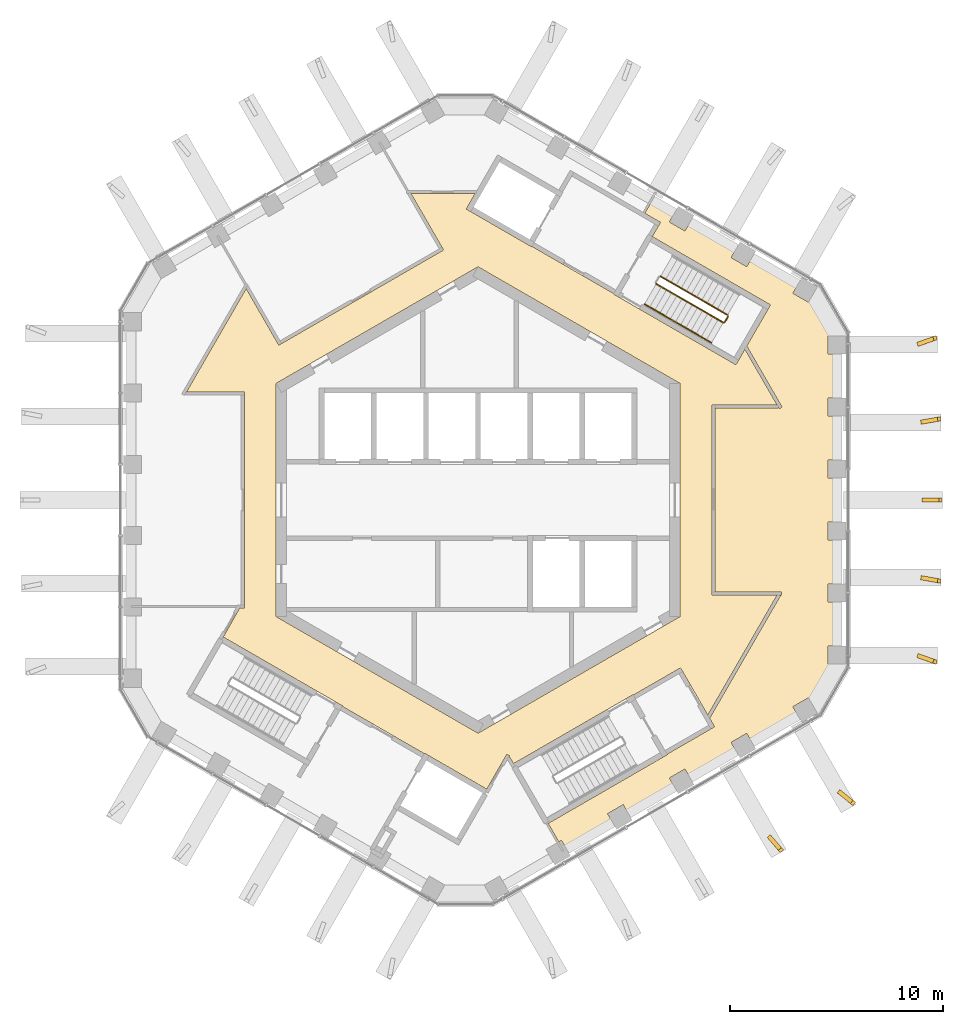
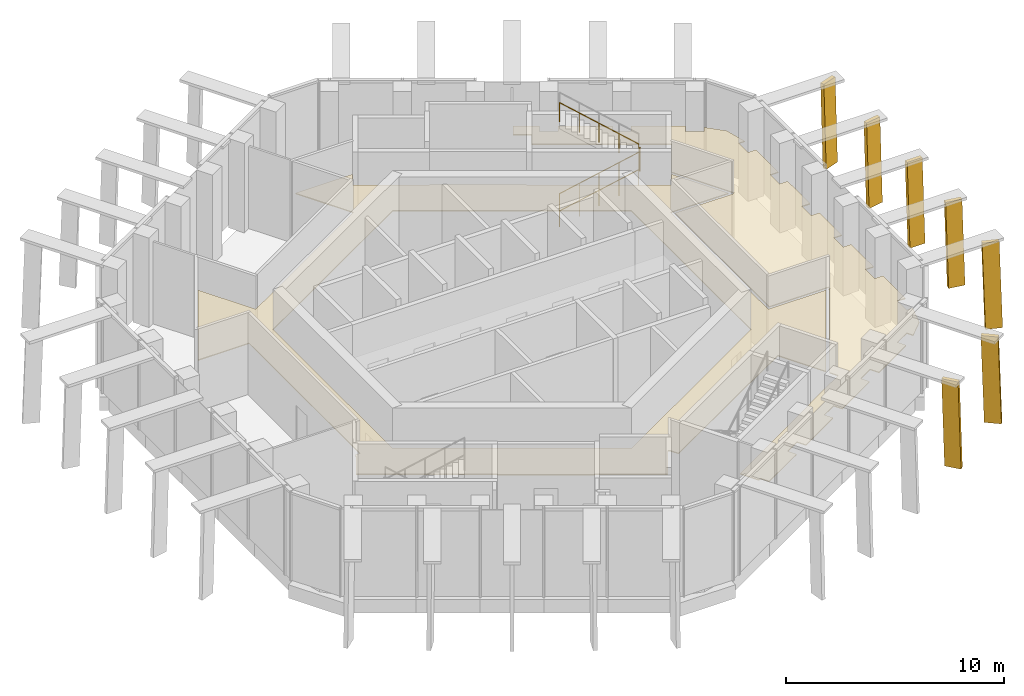
# One storey, part 16 of 17: 7 shading devices, 5 railings, 2 coverings.
"""IFC4 building model written with IfcOpenShell, lengths in metres."""

import ifcopenshell
import ifcopenshell.guid

model = None  # the IFC model being written
_history = None  # IfcOwnerHistory: only IFC2X3 demands one
_inside = {}  # id of a spatial element -> (the spatial element, [elements in it])
_under = {}  # id of a project, library or spatial element -> (it, [spatial elements below it])
_declared = {}  # id of a project -> (the project, [libraries it declares])
_typed = {}  # id of a type object -> (the type object, [elements of that type])
_made_of = {}  # id of a material, layer set ... -> (it, [elements and type objects made of it])


def new_model(schema):
    """Start an empty IFC model of exactly this schema.

    Asked for "IFC4X3", IfcOpenShell would pick the latest addendum, in which some entities
    have other attributes; the version numbers below select the first issue.
    IFC2X3 requires an IfcOwnerHistory on every rooted entity: one is made here for all.
    """
    global model, _history
    if schema == "IFC4X3":
        model = ifcopenshell.file(schema_version=(4, 3, 0, 0))
    else:
        model = ifcopenshell.file(schema=schema)
    _inside.clear()
    _under.clear()
    _declared.clear()
    _typed.clear()
    _made_of.clear()
    _history = None
    if model.schema == "IFC2X3":
        org = make("IfcOrganization", Name="unknown")
        user = make(
            "IfcPersonAndOrganization",
            ThePerson=make("IfcPerson", FamilyName="unknown"),
            TheOrganization=org,
        )
        app = make(
            "IfcApplication",
            ApplicationDeveloper=org,
            Version="unknown",
            ApplicationFullName="unknown",
            ApplicationIdentifier="unknown",
        )
        _history = make(
            "IfcOwnerHistory",
            OwningUser=user,
            OwningApplication=app,
            ChangeAction="ADDED",
            CreationDate=0,
        )
    return model


def make(cls, **values):
    """One entity of the class cls with the attributes given. An attribute that is None is left unset."""
    return model.create_entity(
        cls, **{name: value for name, value in values.items() if value is not None}
    )


def rooted(cls, **values):
    """An entity with a GlobalId (a new one), such as an element, a storey or a relation."""
    return make(cls, GlobalId=ifcopenshell.guid.new(), OwnerHistory=_history, **values)


def si_unit(unit_type, name, prefix=None):
    """IfcSIUnit, for example si_unit("LENGTHUNIT", "METRE", prefix="MILLI")."""
    return make("IfcSIUnit", UnitType=unit_type, Prefix=prefix, Name=name)


def assignment(units):
    """IfcUnitAssignment: the units of a project."""
    return None if units is None else make("IfcUnitAssignment", Units=units)


def point(xyz):
    """IfcCartesianPoint."""
    return None if xyz is None else make("IfcCartesianPoint", Coordinates=xyz)


def direction(xyz):
    """IfcDirection."""
    return None if xyz is None else make("IfcDirection", DirectionRatios=xyz)


def frame(location, z_axis=None, x_axis=None):
    """IfcAxis2Placement3D, a coordinate frame: its origin and axes. An axis left out is left unset."""
    return make(
        "IfcAxis2Placement3D",
        Location=point(location),
        Axis=direction(z_axis),
        RefDirection=direction(x_axis),
    )


def frame_2d(location, x_axis=None):
    """IfcAxis2Placement2D, a coordinate frame in the plane: its origin and x axis."""
    return make(
        "IfcAxis2Placement2D", Location=point(location), RefDirection=direction(x_axis)
    )


def origin():
    """The frame at (0, 0, 0) with its axes left unset."""
    return frame((0.0, 0.0, 0.0))


def origin_2d():
    """The frame at (0, 0) in the plane with its x axis left unset."""
    return frame_2d((0.0, 0.0))


def place(relative_to, where):
    """IfcLocalPlacement: puts the frame where relative to a parent placement (None: the world)."""
    return make(
        "IfcLocalPlacement", PlacementRelTo=relative_to, RelativePlacement=where
    )


def context(
    kind, dimensions, precision=None, world=None, true_north=None, identifier=None
):
    """IfcGeometricRepresentationContext, for example the 3D "Model" context."""
    return make(
        "IfcGeometricRepresentationContext",
        ContextIdentifier=identifier,
        ContextType=kind,
        CoordinateSpaceDimension=dimensions,
        Precision=precision,
        WorldCoordinateSystem=world,
        TrueNorth=true_north,
    )


def subcontext(parent, identifier, kind, view, scale=None):
    """IfcGeometricRepresentationSubContext, for example "Body" below "Model"."""
    return make(
        "IfcGeometricRepresentationSubContext",
        ContextIdentifier=identifier,
        ContextType=kind,
        ParentContext=parent,
        TargetScale=scale,
        TargetView=view,
    )


def project(units=None, contexts=None):
    """IfcProject with its units and contexts."""
    return rooted(
        "IfcProject",
        Name="project",
        RepresentationContexts=contexts,
        UnitsInContext=assignment(units),
    )


def spatial(cls, under=None, at=None, **own):
    """A site, building, storey or space (cls), placed at a placement, below another one or the project."""
    s = rooted(cls, ObjectPlacement=at, **own)
    if under is not None:
        _under.setdefault(under.id(), (under, []))[1].append(s)
    return s


def polyline(points):
    """IfcPolyline through the points."""
    return make("IfcPolyline", Points=[point(p) for p in points])


def profile(cls, at=None, kind="AREA", **sizes):
    """A parametric profile (cls). Its sizes go by their IFC names, for example OverallWidth=200.0."""
    return make(cls, ProfileType=kind, Position=at, **sizes)


def circle(**sizes):
    """IfcCircleProfileDef."""
    return profile("IfcCircleProfileDef", **sizes)


def outline(outer, holes=None, kind="AREA"):
    """IfcArbitraryClosedProfileDef: a profile drawn as a closed curve; with holes, ...WithVoids."""
    if holes is None:
        return make("IfcArbitraryClosedProfileDef", ProfileType=kind, OuterCurve=outer)
    return make(
        "IfcArbitraryProfileDefWithVoids",
        ProfileType=kind,
        OuterCurve=outer,
        InnerCurves=holes,
    )


def extrude(swept, where, along, depth):
    """IfcExtrudedAreaSolid: the profile swept, set in the frame where, extruded along a direction by depth."""
    return make(
        "IfcExtrudedAreaSolid",
        SweptArea=swept,
        Position=where,
        ExtrudedDirection=direction(along),
        Depth=depth,
    )


def shape(context_of_items, identifier, shape_type, items):
    """IfcShapeRepresentation: the items that make up one representation, for example the "Body"."""
    return make(
        "IfcShapeRepresentation",
        ContextOfItems=context_of_items,
        RepresentationIdentifier=identifier,
        RepresentationType=shape_type,
        Items=items,
    )


def material(Name=None, Category=None):
    """IfcMaterial."""
    return make("IfcMaterial", Name=Name, Category=Category)


def layer(
    of_material, thickness, ventilated=None, Name=None, Category=None, Priority=None
):
    """IfcMaterialLayer: one layer of a wall or slab, of a material (None: an air gap)."""
    return make(
        "IfcMaterialLayer",
        Material=of_material,
        LayerThickness=thickness,
        IsVentilated=ventilated,
        Name=Name,
        Category=Category,
        Priority=Priority,
    )


def layer_set(layers, Name=None):
    """IfcMaterialLayerSet."""
    return make("IfcMaterialLayerSet", MaterialLayers=layers, LayerSetName=Name)


def made_of(thing, what):
    """Note that an element or type object is made of a material, layer set ...; save() writes the relation."""
    if what is not None:
        _made_of.setdefault(what.id(), (what, []))[1].append(thing)
    return thing


def type_object(cls, material=None, **own):
    """A type object (cls), such as IfcWallType, which elements share."""
    return made_of(rooted(cls, **own), material)


def element(
    cls,
    number,
    at=None,
    inside=None,
    cuts=None,
    type_object=None,
    material=None,
    context=None,
    identifier="Body",
    shape_type=None,
    held_by="IfcProductDefinitionShape",
    body=None,
    shapes=None,
    **own,
):
    """One element of the class cls, such as IfcWall. Its Tag is "e" and its number.

    at: its placement. inside: the storey or other place that contains it. cuts: it is an
    opening in that element (IfcRelVoidsElement). A single representation is given by context,
    identifier, shape_type and body (its items); several are given by shapes. held_by: the class
    of the entity that holds the representations. save() writes the other relations.
    """
    e = rooted(cls, Tag="e%d" % number, ObjectPlacement=at, **own)
    if body is not None:
        shapes = [shape(context, identifier, shape_type, body)]
    if shapes is not None:
        e.Representation = make(held_by, Representations=shapes)
    if inside is not None:
        _inside.setdefault(inside.id(), (inside, []))[1].append(e)
    if cuts is not None:
        rooted(
            "IfcRelVoidsElement", RelatingBuildingElement=cuts, RelatedOpeningElement=e
        )
    if type_object is not None:
        _typed.setdefault(type_object.id(), (type_object, []))[1].append(e)
    return made_of(e, material)


def aggregate(whole, parts):
    """IfcRelAggregates: a whole, such as a stair, and the parts it consists of."""
    return rooted("IfcRelAggregates", RelatingObject=whole, RelatedObjects=parts)


def save(model, path):
    """Write the relations noted so far, then the file.

    IfcRelAggregates (storeys below a building ...), IfcRelContainedInSpatialStructure (elements
    in a storey), IfcRelDefinesByType, IfcRelAssociatesMaterial and IfcRelDeclares: one each for
    every whole, place, type object, material and project.
    """
    for whole, parts in _under.values():
        aggregate(whole, parts)
    for where, things in _inside.values():
        rooted(
            "IfcRelContainedInSpatialStructure",
            RelatedElements=things,
            RelatingStructure=where,
        )
    for kind, things in _typed.values():
        rooted("IfcRelDefinesByType", RelatedObjects=things, RelatingType=kind)
    for what, things in _made_of.values():
        rooted("IfcRelAssociatesMaterial", RelatedObjects=things, RelatingMaterial=what)
    for by, libraries in _declared.values():
        rooted("IfcRelDeclares", RelatingContext=by, RelatedDefinitions=libraries)
    model.write(path)


model = new_model("IFC4")

# Units and contexts
model_context = context("Model", 3, precision=1e-05, world=origin(), true_north=direction((0.0, 1.0)))
body_context = subcontext(model_context, "Body", "Model", "MODEL_VIEW")
ifc_project = project(units=[si_unit("LENGTHUNIT", "METRE"), si_unit("AREAUNIT", "SQUARE_METRE"), si_unit("VOLUMEUNIT", "CUBIC_METRE"), si_unit("PLANEANGLEUNIT", "RADIAN"), si_unit("MASSUNIT", "GRAM", prefix="KILO")], contexts=[model_context])

# Site, building, storey
site_placement = place(None, origin())
site = spatial("IfcSite", under=ifc_project, at=site_placement, CompositionType="ELEMENT")
building_placement = place(site_placement, origin())
building = spatial("IfcBuilding", under=site, at=building_placement, Name="Ayvan Gate Tower", CompositionType="ELEMENT")
storey_placement = place(building_placement, frame((0.0, 0.0, 252.89990234375)))
storey = spatial("IfcBuildingStorey", under=building, at=storey_placement, Name="L68", CompositionType="ELEMENT", Elevation=252.89990234375)

# Coverings
ifc_material_1 = material(Name="Plasterboard suspended ceiling")
ifc_layer_1 = layer(ifc_material_1, 0.050048828125)
ifc_layer_set_1 = layer_set([ifc_layer_1], Name="Plasterboard suspended ceiling")
covering_type = type_object("IfcCoveringType", Name="CT-SUSP-50", PredefinedType="CEILING", material=ifc_layer_set_1)
covering_1_placement = place(storey_placement, frame((0.0, 0.0, 2.7001953125)))
element("IfcCovering", 1, at=covering_1_placement, inside=storey, type_object=covering_type, Name="Ceiling Gallery L68", PredefinedType="CEILING", context=body_context, shape_type="SweptSolid", body=[
    extrude(outline(polyline([(-10.9951171875, -5.09130859375), (-10.9951171875, 5.09130859375), (-13.709228515625, 5.09130859375), (-10.90771484375, 9.943603515625), (-9.372802734375, 7.28466796875), (-9.24267578125, 7.359619140625), (-1.622314453125, 11.75927734375), (-1.6875, 11.871826171875), (-3.15771484375, 14.418212890625), (-0.1337890625, 14.418212890625), (-0.55615234375, 13.686767578125), (-0.339599609375, 13.561767578125), (2.518310546875, 11.91162109375), (2.53076171875, 11.933349609375), (6.384521484375, 9.70849609375), (6.3720703125, 9.686767578125), (6.588623046875, 9.561767578125), (12.131103515625, 6.36181640625), (12.24609375, 6.56103515625), (12.553466796875, 7.09326171875), (14.0654296875, 4.474609375), (10.9951171875, 4.474609375), (10.9951171875, -4.474609375), (14.0654296875, -4.474609375), (10.806884765625, -10.118408203125), (9.623779296875, -8.069091796875), (9.52392578125, -7.89599609375), (7.2939453125, -9.183349609375), (7.281494140625, -9.16162109375), (1.66845703125, -12.40234375), (1.46923828125, -12.065185546875), (1.48486328125, -12.0380859375), (1.35498046875, -11.963134765625), (0.408935546875, -13.601806640625), (-2.284423828125, -12.046630859375), (-2.518310546875, -11.91162109375), (-2.53076171875, -11.933349609375), (-6.384521484375, -9.70849609375), (-6.3720703125, -9.686767578125), (-11.98486328125, -6.4462890625), (-11.220703125, -5.09130859375), (-10.9951171875, -5.09130859375)]), holes=[polyline([(-4.66748046875, -8.27490234375), (0.0, -10.9697265625), (4.66748046875, -8.27490234375), (9.5, -5.48486328125), (9.5, 5.48486328125), (4.66748046875, 8.27490234375), (0.0, 10.9697265625), (-4.667724609375, 8.27490234375), (-9.5, 5.48486328125), (-9.5, -5.48486328125), (-4.66748046875, -8.27490234375)])]), origin(), (0.0, 0.0, 1.0), 0.0498046875),
])
covering_2_placement = place(storey_placement, frame((0.0, 0.0, 2.7001953125)))
element("IfcCovering", 2, at=covering_2_placement, inside=storey, type_object=covering_type, Name="Ceiling Crown Lounge East L68", PredefinedType="CEILING", context=body_context, shape_type="SweptSolid", body=[
    extrude(outline(polyline([(8.190185546875, 14.0859375), (9.2314453125, 13.485107421875), (8.9970703125, 13.0791015625), (9.733154296875, 12.654052734375), (9.967529296875, 13.06005859375), (12.13623046875, 11.807861328125), (11.902099609375, 11.402099609375), (12.63818359375, 10.97705078125), (12.87255859375, 11.3828125), (15.041259765625, 10.130615234375), (14.806884765625, 9.724853515625), (15.543212890625, 9.2998046875), (15.717041015625, 9.601318359375), (16.485595703125, 8.832763671875), (16.787109375, 7.707275390625), (16.46240234375, 7.707275390625), (16.46240234375, 6.857421875), (16.887451171875, 6.857421875), (16.887451171875, 4.79443359375), (16.46240234375, 4.79443359375), (16.46240234375, 3.9443359375), (16.887451171875, 3.9443359375), (16.887451171875, 1.881591796875), (16.46240234375, 1.881591796875), (16.46240234375, 1.031494140625), (16.887451171875, 1.031494140625), (16.887451171875, -1.031494140625), (16.46240234375, -1.031494140625), (16.46240234375, -1.881591796875), (16.887451171875, -1.881591796875), (16.887451171875, -3.9443359375), (16.46240234375, -3.9443359375), (16.46240234375, -4.79443359375), (16.887451171875, -4.79443359375), (16.887451171875, -6.857421875), (16.46240234375, -6.857421875), (16.46240234375, -7.707275390625), (16.787109375, -7.707275390625), (16.485595703125, -8.832763671875), (15.717041015625, -9.601318359375), (15.543212890625, -9.2998046875), (14.806884765625, -9.724853515625), (15.041259765625, -10.130615234375), (12.87255859375, -11.3828125), (12.63818359375, -10.97705078125), (11.902099609375, -11.402099609375), (12.13623046875, -11.807861328125), (11.019775390625, -12.452392578125), (9.967529296875, -13.06005859375), (9.733154296875, -12.654052734375), (8.9970703125, -13.0791015625), (9.2314453125, -13.485107421875), (7.889892578125, -14.259521484375), (7.0625, -14.737060546875), (6.828369140625, -14.331298828125), (6.09228515625, -14.75634765625), (6.326416015625, -15.162109375), (4.15771484375, -16.414306640625), (3.92333984375, -16.00830078125), (3.799072265625, -16.080078125), (3.298828125, -15.2138671875), (8.68994140625, -12.101318359375), (8.906494140625, -11.976318359375), (8.893798828125, -11.95458984375), (10.95068359375, -10.76708984375), (11.123779296875, -10.667236328125), (10.8935546875, -10.268310546875), (14.222900390625, -4.502197265625), (14.175048828125, -4.474609375), (14.270263671875, -4.474609375), (14.270263671875, -4.32470703125), (11.14501953125, -4.32470703125), (11.14501953125, 4.32470703125), (14.120361328125, 4.32470703125), (14.120361328125, 4.37939453125), (14.167724609375, 4.297119140625), (14.2978515625, 4.3720703125), (12.64013671875, 7.2431640625), (13.631103515625, 8.959716796875), (13.756103515625, 9.176513671875), (8.19189453125, 12.388916015625), (8.4794921875, 12.88671875), (8.579345703125, 13.06005859375), (7.84326171875, 13.485107421875), (8.190185546875, 14.0859375)])), origin(), (0.0, 0.0, 1.0), 0.0498046875),
])

# Shading devices
ifc_material_2 = material(Name="Bronze anodised aluminium", Category="aluminium")
ifc_layer_2 = layer(ifc_material_2, 0.199951171875)
ifc_layer_set_2 = layer_set([ifc_layer_2], Name="Bronze anodised aluminium")
shading_device_type = type_object("IfcShadingDeviceType", Name="Crown frame rib 800 x 200", PredefinedType="USERDEFINED", material=ifc_layer_set_2)
shading_device_1_placement = place(storey_placement, frame((13.692626953125, -15.98388671875, 0.0), z_axis=(-0.756514109939, -0.653977304396, 0.0002946158), x_axis=(0.653977332778, -0.756514142771, 0.0)))
element("IfcShadingDevice", 3, at=shading_device_1_placement, inside=storey, type_object=shading_device_type, Name="CROWN FRAME rib FR06.6.4", ObjectType="FIN", PredefinedType="USERDEFINED", context=body_context, shape_type="SweptSolid", body=[
    extrude(outline(polyline([(0.0, 0.0), (0.8000175742364785, 0.0), (0.6553843440151716, 4.850097866740541), (-0.1446332302213068, 4.850097866740541), (0.0, 0.0)])), origin(), (0.0, 0.0, -1.0), 0.199951171875),
])
shading_device_2_placement = place(storey_placement, frame((17.012451171875, -13.875, 0.0), z_axis=(-0.628631813243, -0.777702998083, 0.000300253244), x_axis=(0.777703033144, -0.628631841573, 2.8796e-08)))
element("IfcShadingDevice", 4, at=shading_device_2_placement, inside=storey, type_object=shading_device_type, Name="CROWN FRAME rib FR06.6.5", ObjectType="FIN", PredefinedType="USERDEFINED", context=body_context, shape_type="SweptSolid", body=[
    extrude(outline(polyline([(0.0, 0.0), (0.8001334533991846, 1.3552527156068805e-20), (0.6429976480732711, 4.850097856357303), (-0.15694593642133736, 4.850097902433073), (0.0, 0.0)])), origin(), (0.0, 0.0, -1.0), 0.199951171875),
])
shading_device_3_placement = place(storey_placement, frame((20.783203125, -7.4638671875, 0.0), z_axis=(-0.333618280551, -0.942708197146, 0.000312913994), x_axis=(0.942708243301, -0.333618296879, 1.593e-08)))
element("IfcShadingDevice", 5, at=shading_device_3_placement, inside=storey, type_object=shading_device_type, Name="CROWN FRAME rib FR06.1.1", ObjectType="FIN", PredefinedType="USERDEFINED", context=body_context, shape_type="SweptSolid", body=[
    extrude(outline(polyline([(0.0, 0.0), (0.7999683989368576, 1.3552527156068805e-20), (0.6409513069833584, 4.8500978834888135), (-0.15878693857378684, 4.8500979089719225), (0.0, 0.0)])), origin(), (0.0, 0.0, -1.0), 0.199951171875),
])
shading_device_4_placement = place(storey_placement, frame((20.957763671875, -3.7802734375, 0.0), z_axis=(-0.172853999463, -0.984947414418, 0.000292746683), x_axis=(0.984947456626, -0.172854006858, 4.3991e-08)))
element("IfcShadingDevice", 6, at=shading_device_4_placement, inside=storey, type_object=shading_device_type, Name="CROWN FRAME rib FR06.1.2", ObjectType="FIN", PredefinedType="USERDEFINED", context=body_context, shape_type="SweptSolid", body=[
    extrude(outline(polyline([(0.0, 0.0), (0.8001088276047101, 0.0), (0.6521494157459223, 4.850097835389358), (-0.1480016125440557, 4.850097905786747), (0.0, 0.0)])), origin(), (0.0, 0.0, -1.0), 0.199951171875),
])
shading_device_5_placement = place(storey_placement, frame((21.031494140625, -0.099853515625, 0.0), z_axis=(0.0, -0.999999954391, 0.000302023544), x_axis=(1.0, 0.0, 0.0)))
element("IfcShadingDevice", 7, at=shading_device_5_placement, inside=storey, type_object=shading_device_type, Name="CROWN FRAME rib FR06.1.3", ObjectType="FIN", PredefinedType="USERDEFINED", context=body_context, shape_type="SweptSolid", body=[
    extrude(outline(polyline([(0.0, 0.0), (0.800048828125, 0.0), (0.65576171875, 4.850097877458655), (-0.144287109375, 4.850097877458655), (0.0, 0.0)])), origin(), (0.0, 0.0, -1.0), 0.199951171875),
])
shading_device_6_placement = place(storey_placement, frame((20.992431640625, 3.58349609375, 0.0), z_axis=(0.172905961711, -0.984938284982, 0.000321219371), x_axis=(0.984938335798, 0.172905970616, -4.8284e-08)))
element("IfcShadingDevice", 8, at=shading_device_6_placement, inside=storey, type_object=shading_device_type, Name="CROWN FRAME rib FR06.1.4", ObjectType="FIN", PredefinedType="USERDEFINED", context=body_context, shape_type="SweptSolid", body=[
    extrude(outline(polyline([(0.0, 0.0), (0.7998683566870403, 0.0), (0.6519340624644694, 4.85009793794905), (-0.1479765075943033, 4.85009786070549), (0.0, 0.0)])), origin(), (0.0, 0.0, -1.0), 0.199951171875),
])
shading_device_7_placement = place(storey_placement, frame((20.849853515625, 7.275390625, 0.0), z_axis=(0.333705895029, -0.942677192268, 0.000294618911), x_axis=(0.942677233185, 0.3337059095, -4.238e-08)))
element("IfcShadingDevice", 9, at=shading_device_7_placement, inside=storey, type_object=shading_device_type, Name="CROWN FRAME rib FR06.1.5", ObjectType="FIN", PredefinedType="USERDEFINED", context=body_context, shape_type="SweptSolid", body=[
    extrude(outline(polyline([(0.0, 0.0), (0.7999683916970367, -1.3552527156068805e-20), (0.6412380969621807, 4.850097893920655), (-0.1588117659041677, 4.850097826111894), (0.0, 0.0)])), origin(), (0.0, 0.0, -1.0), 0.199951171875),
])

# Railings
ifc_material_3 = material(Name="Stainless steel balustrade", Category="steel")
railing_type_1 = type_object("IfcRailingType", Name="RL-GUARD-1100", PredefinedType="GUARDRAIL", material=ifc_material_3)
railing_1_placement = place(storey_placement, frame((8.381103515625, 10.16650390625, 0.1787109375)))
element("IfcRailing", 10, at=railing_1_placement, inside=storey, type_object=railing_type_1, Name="L68 STS1 stair guard 1", PredefinedType="GUARDRAIL", context=body_context, shape_type="SweptSolid", body=[
    extrude(circle(Radius=0.02392578125, at=origin_2d()), frame((0.0, 0.0, 1.076171875), z_axis=(0.730180763182, -0.421584385806, 0.537682674747), x_axis=(0.500012742938, 0.866018046521, 0.0)), (0.0, 0.0, 1.0), 4.317138671875),
    extrude(circle(Radius=0.02099609375, at=origin_2d()), origin(), (0.0, 0.0, 1.0), 1.052001953125),
    extrude(circle(Radius=0.02099609375, at=origin_2d()), frame((0.7880859375, -0.455078125, 0.580322265625)), (0.0, 0.0, 1.0), 1.052001953125),
    extrude(circle(Radius=0.02099609375, at=origin_2d()), frame((1.576171875, -0.91015625, 1.16064453125)), (0.0, 0.0, 1.0), 1.052001953125),
    extrude(circle(Radius=0.02099609375, at=origin_2d()), frame((2.3642578125, -1.364990234375, 1.740966796875)), (0.0, 0.0, 1.0), 1.052001953125),
    extrude(circle(Radius=0.02099609375, at=origin_2d()), frame((3.15234375, -1.820068359375, 2.3212890625)), (0.0, 0.0, 1.0), 1.052001953125),
])
railing_2_placement = place(storey_placement, frame((11.601806640625, 8.36474609375, 2.5)))
element("IfcRailing", 11, at=railing_2_placement, inside=storey, type_object=railing_type_1, Name="L68 STS1 stair guard 2", PredefinedType="GUARDRAIL", context=body_context, shape_type="SweptSolid", body=[
    extrude(circle(Radius=0.02392578125, at=origin_2d()), frame((0.0, 0.0, 1.076171875), z_axis=(0.499949632511, 0.866054481515, 0.0), x_axis=(-0.866054481515, 0.499949632511, 0.0)), (0.0, 0.0, 1.0), 0.31005859375),
    extrude(circle(Radius=0.02099609375, at=origin_2d()), origin(), (0.0, 0.0, 1.0), 1.052001953125),
    extrude(circle(Radius=0.02099609375, at=origin_2d()), frame((0.155029296875, 0.2685546875, 0.0)), (0.0, 0.0, 1.0), 1.052001953125),
])
railing_3_placement = place(storey_placement, frame((11.738525390625, 8.70166015625, 2.6787109375)))
element("IfcRailing", 12, at=railing_3_placement, inside=storey, type_object=railing_type_1, Name="L68 STS1 stair guard 3", PredefinedType="GUARDRAIL", context=body_context, shape_type="SweptSolid", body=[
    extrude(circle(Radius=0.02392578125, at=origin_2d()), frame((0.0, 0.0, 1.076171875), z_axis=(-0.730198170753, 0.42153788451, 0.537695493148), x_axis=(-0.499962438169, -0.866047089031, 0.0)), (0.0, 0.0, 1.0), 4.317138671875),
    extrude(circle(Radius=0.02099609375, at=origin_2d()), origin(), (0.0, 0.0, 1.0), 1.052001953125),
    extrude(circle(Radius=0.02099609375, at=origin_2d()), frame((-0.7880859375, 0.455078125, 0.580322265625)), (0.0, 0.0, 1.0), 1.052001953125),
    extrude(circle(Radius=0.02099609375, at=origin_2d()), frame((-1.576171875, 0.909912109375, 1.16064453125)), (0.0, 0.0, 1.0), 1.052001953125),
    extrude(circle(Radius=0.02099609375, at=origin_2d()), frame((-2.3642578125, 1.36474609375, 1.740966796875)), (0.0, 0.0, 1.0), 1.052001953125),
    extrude(circle(Radius=0.02099609375, at=origin_2d()), frame((-3.15234375, 1.81982421875, 2.3212890625)), (0.0, 0.0, 1.0), 1.052001953125),
])
railing_type_2 = type_object("IfcRailingType", Name="RL-HANDRAIL-900", PredefinedType="HANDRAIL", material=ifc_material_3)
railing_4_placement = place(storey_placement, frame((7.8310546875, 9.2138671875, 0.1787109375)))
element("IfcRailing", 13, at=railing_4_placement, inside=storey, type_object=railing_type_2, Name="L68 STS1 stair handrail 1", PredefinedType="HANDRAIL", context=body_context, shape_type="SweptSolid", body=[
    extrude(circle(Radius=0.02392578125, at=origin_2d()), frame((0.0, 0.0, 0.8759765625), z_axis=(0.730198170753, -0.42153788451, 0.537695493148), x_axis=(0.499962438169, 0.866047089031, 0.0)), (0.0, 0.0, 1.0), 2.158447265625),
    extrude(circle(Radius=0.02099609375, at=origin_2d()), origin(), (0.0, 0.0, 1.0), 0.851806640625),
    extrude(circle(Radius=0.02099609375, at=origin_2d()), frame((0.7880859375, -0.455078125, 0.580322265625)), (0.0, 0.0, 1.0), 0.851806640625),
    extrude(circle(Radius=0.02099609375, at=origin_2d()), frame((1.576171875, -0.909912109375, 1.16064453125)), (0.0, 0.0, 1.0), 0.851806640625),
])
railing_5_placement = place(storey_placement, frame((9.4072265625, 8.303955078125, 1.33935546875)))
element("IfcRailing", 14, at=railing_5_placement, inside=storey, type_object=railing_type_2, Name="L68 STS1 stair handrail 2", PredefinedType="HANDRAIL", context=body_context, shape_type="SweptSolid", body=[
    extrude(circle(Radius=0.02392578125, at=origin_2d()), frame((0.0, 0.0, 0.8759765625), z_axis=(0.730163354521, -0.421630883776, 0.537669855544), x_axis=(0.500063042646, 0.865989003036, 0.0)), (0.0, 0.0, 1.0), 2.15869140625),
    extrude(circle(Radius=0.02099609375, at=origin_2d()), origin(), (0.0, 0.0, 1.0), 0.851806640625),
    extrude(circle(Radius=0.02099609375, at=origin_2d()), frame((0.7880859375, -0.455078125, 0.580322265625)), (0.0, 0.0, 1.0), 0.851806640625),
    extrude(circle(Radius=0.02099609375, at=origin_2d()), frame((1.576171875, -0.91015625, 1.16064453125)), (0.0, 0.0, 1.0), 0.851806640625),
])

save(model, "model.ifc")
